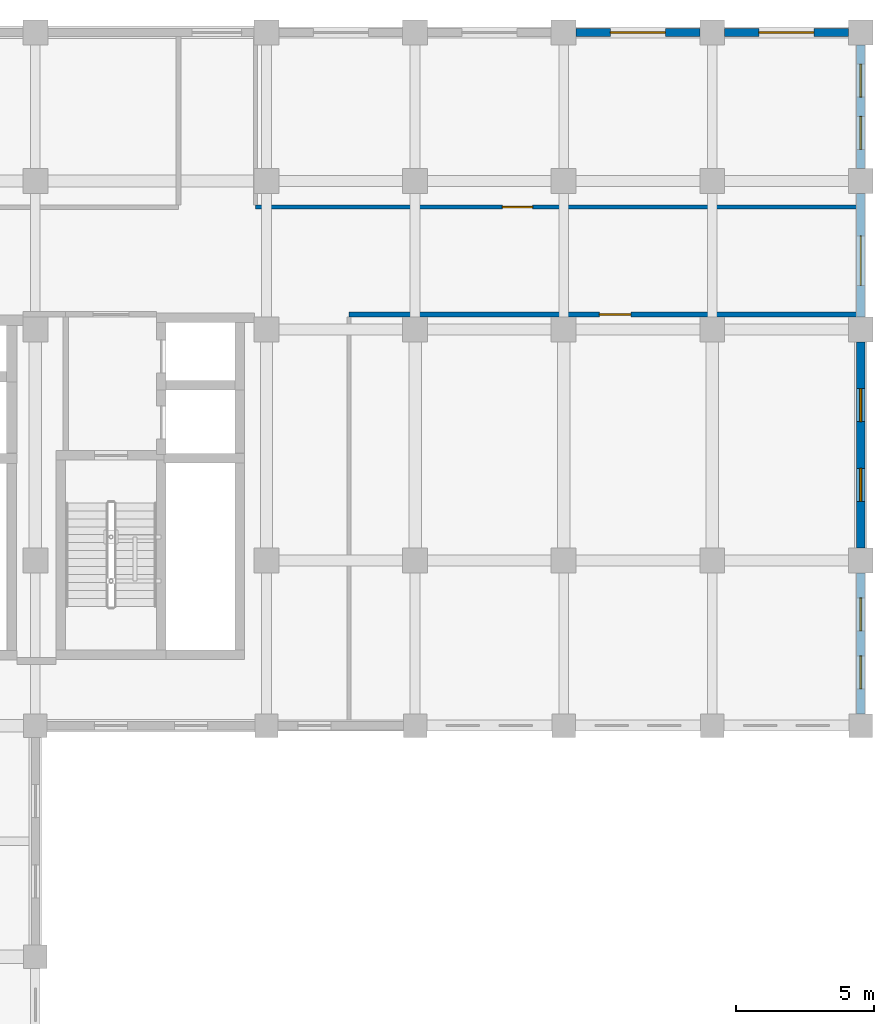
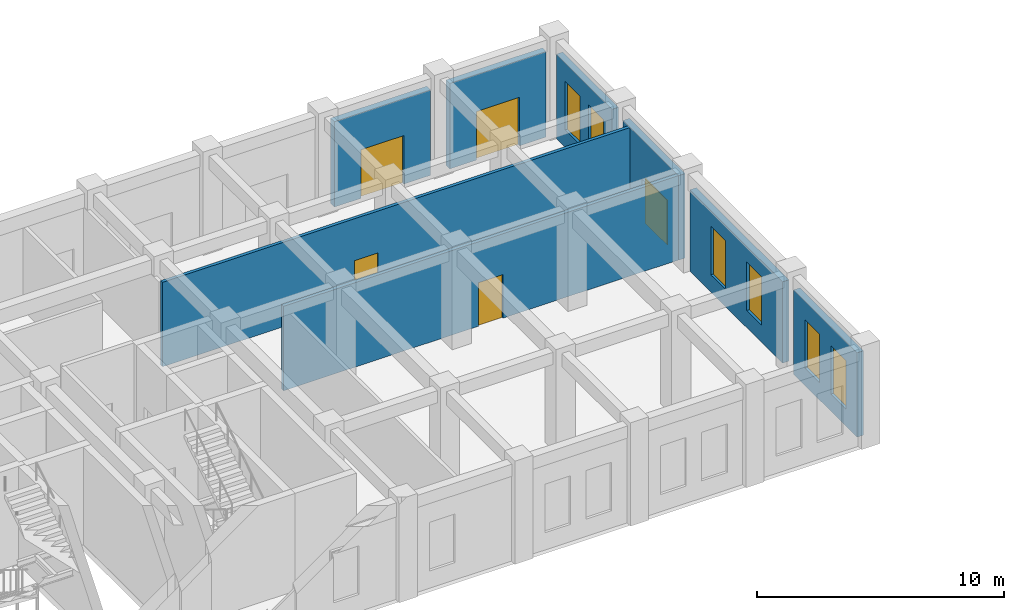
# One storey, part 70 of 80: 8 walls, 6 windows, 5 doors, 11 openings.
"""IFC4 building model written with IfcOpenShell, lengths in metres."""

from ifc_helpers import new_model, si_unit, direction, frame, frame_2d, origin, place, context, subcontext, project, spatial, rectangle, extrude, material, layer, layer_set, type_object, element, fill, save


model = new_model("IFC4")

# Units and contexts
model_context = context("Model", 3, precision=1e-05, world=origin(), true_north=direction((0.0, 1.0)))
body_context = subcontext(model_context, "Body", "Model", "MODEL_VIEW")
ifc_project = project(units=[si_unit("LENGTHUNIT", "METRE"), si_unit("AREAUNIT", "SQUARE_METRE"), si_unit("VOLUMEUNIT", "CUBIC_METRE"), si_unit("PLANEANGLEUNIT", "RADIAN"), si_unit("MASSUNIT", "GRAM", prefix="KILO")], contexts=[model_context])

# Site, building, storey
site_placement = place(None, origin())
site = spatial("IfcSite", under=ifc_project, at=site_placement, CompositionType="ELEMENT")
building_placement = place(site_placement, origin())
building = spatial("IfcBuilding", under=site, at=building_placement, Name="Krzemoval Escarpment Law Courts", CompositionType="ELEMENT")
storey_placement = place(building_placement, origin())
storey = spatial("IfcBuildingStorey", under=building, at=storey_placement, Name="L00", CompositionType="ELEMENT", Elevation=0.0)

# Wall, opening, door
ifc_material_1 = material(Name="Precast concrete C40/50", Category="concrete")
ifc_layer_1 = layer(ifc_material_1, 0.300048828125)
ifc_layer_set_1 = layer_set([ifc_layer_1], Name="Precast concrete C40/50")
wall_type_1 = type_object("IfcWallType", Name="WL-EXT-300", PredefinedType="SOLIDWALL", material=ifc_layer_set_1)
wall_1_placement = place(storey_placement, frame((162.449951171875, 118.800048828125, 0.0), z_axis=(0.0, 0.0, 1.0), x_axis=(1.0, 0.0, 0.0)))
wall_1 = element("IfcWall", 1, at=wall_1_placement, inside=storey, type_object=wall_type_1, Name="Exterior Wall EW-L00-0095", PredefinedType="SOLIDWALL", context=body_context, shape_type="SweptSolid", body=[
    extrude(rectangle(XDim=4.5, YDim=0.300048828125, at=frame_2d((2.25, 0.0))), origin(), (0.0, 0.0, 1.0), 4.219970703125),
])
opening_1_placement = place(wall_1_placement, frame((1.25, 0.0, 0.0)))
opening_1 = element("IfcOpeningElement", 2, at=opening_1_placement, cuts=wall_1, Name="Opening ED-L00-11", PredefinedType="OPENING", context=body_context, shape_type="SweptSolid", body=[
    extrude(rectangle(XDim=2.0, YDim=2.39990234375, at=frame_2d((1.0, 1.199951171875))), frame((0.0, 0.16502, 0.0), z_axis=(0.0, -1.0, 0.0), x_axis=(1.0, 0.0, 0.0)), (0.0, 0.0, 1.0), 0.33005),
])
ifc_material_2 = material(Name="Thermally Broken Aluminium and Laminated Safety Glass", Category="aluminium")
door_type_1 = type_object("IfcDoorType", Name="DR-ENT-2000x2400", OperationType="SINGLE_SWING_LEFT", PredefinedType="DOOR", material=ifc_material_2)
door_1_placement = place(opening_1_placement, origin())
door_1 = element("IfcDoor", 3, at=door_1_placement, inside=storey, type_object=door_type_1, Name="Ground Entrance Door ED-L00-11", OperationType="DOUBLE_DOOR_SINGLE_SWING", OverallHeight=2.39990234375, OverallWidth=2.0, PredefinedType="DOOR", context=body_context, shape_type="SweptSolid", body=[
    extrude(rectangle(XDim=2.0, YDim=2.39990234375, at=frame_2d((1.0, 1.199951171875))), frame((0.0, 0.02490234375, 0.0), z_axis=(0.0, -1.0, 0.0), x_axis=(1.0, 0.0, 0.0)), (0.0, 0.0, 1.0), 0.050048828125),
])
fill(opening_1, door_1)

wall_2_placement = place(storey_placement, frame((167.85009765625, 118.800048828125, 0.0), z_axis=(0.0, 0.0, 1.0), x_axis=(1.0, 0.0, 0.0)))
wall_2 = element("IfcWall", 4, at=wall_2_placement, inside=storey, type_object=wall_type_1, Name="Exterior Wall EW-L00-0096", PredefinedType="SOLIDWALL", context=body_context, shape_type="SweptSolid", body=[
    extrude(rectangle(XDim=4.5, YDim=0.300048828125, at=frame_2d((2.25, 0.0))), origin(), (0.0, 0.0, 1.0), 4.219970703125),
])
opening_2_placement = place(wall_2_placement, frame((1.25, 0.0, 0.0)))
opening_2 = element("IfcOpeningElement", 5, at=opening_2_placement, cuts=wall_2, Name="Opening ED-L00-12", PredefinedType="OPENING", context=body_context, shape_type="SweptSolid", body=[
    extrude(rectangle(XDim=2.0, YDim=2.39990234375, at=frame_2d((1.0, 1.199951171875))), frame((0.0, 0.16502, 0.0), z_axis=(0.0, -1.0, 0.0), x_axis=(1.0, 0.0, 0.0)), (0.0, 0.0, 1.0), 0.33005),
])
door_2_placement = place(opening_2_placement, origin())
door_2 = element("IfcDoor", 6, at=door_2_placement, inside=storey, type_object=door_type_1, Name="Ground Entrance Door ED-L00-12", OperationType="DOUBLE_DOOR_SINGLE_SWING", OverallHeight=2.39990234375, OverallWidth=2.0, PredefinedType="DOOR", context=body_context, shape_type="SweptSolid", body=[
    extrude(rectangle(XDim=2.0, YDim=2.39990234375, at=frame_2d((1.0, 1.199951171875))), frame((0.0, 0.02490234375, 0.0), z_axis=(0.0, -1.0, 0.0), x_axis=(1.0, 0.0, 0.0)), (0.0, 0.0, 1.0), 0.050048828125),
])
fill(opening_2, door_2)

# Wall, openings, windows
wall_3_placement = place(storey_placement, frame((172.800048828125, 118.35009765625, 0.0), z_axis=(0.0, 0.0, 1.0), x_axis=(0.0, -1.0, 0.0)))
wall_3 = element("IfcWall", 7, at=wall_3_placement, inside=storey, type_object=wall_type_1, Name="Exterior Wall EW-L00-0097", PredefinedType="SOLIDWALL", context=body_context, shape_type="SweptSolid", body=[
    extrude(rectangle(XDim=4.5, YDim=0.300048828125, at=frame_2d((2.25, 0.0))), origin(), (0.0, 0.0, 1.0), 4.169921875),
])
opening_3_placement = place(wall_3_placement, frame((0.699951171875, 0.0, 0.85009765625)))
opening_3 = element("IfcOpeningElement", 8, at=opening_3_placement, cuts=wall_3, Name="Opening WN-L00-0035", PredefinedType="OPENING", context=body_context, shape_type="SweptSolid", body=[
    extrude(rectangle(XDim=1.199951171875, YDim=2.39990234375, at=frame_2d((0.60009765625, 1.199951171875))), frame((0.0, 0.16502, 0.0), z_axis=(0.0, -1.0, 0.0), x_axis=(1.0, 0.0, 0.0)), (0.0, 0.0, 1.0), 0.33005),
])
opening_4_placement = place(wall_3_placement, frame((2.60009765625, 0.0, 0.85009765625)))
opening_4 = element("IfcOpeningElement", 9, at=opening_4_placement, cuts=wall_3, Name="Opening WN-L00-0036", PredefinedType="OPENING", context=body_context, shape_type="SweptSolid", body=[
    extrude(rectangle(XDim=1.199951171875, YDim=2.39990234375, at=frame_2d((0.60009765625, 1.199951171875))), frame((0.0, 0.16502, 0.0), z_axis=(0.0, -1.0, 0.0), x_axis=(1.0, 0.0, 0.0)), (0.0, 0.0, 1.0), 0.33005),
])
ifc_material_3 = material(Name="Thermally Broken Aluminium Frame with Triple Low-E Acoustic Glass", Category="aluminium")
window_type = type_object("IfcWindowType", Name="WN-1200x2400", PartitioningType="SINGLE_PANEL", PredefinedType="WINDOW", material=ifc_material_3)
window_1_placement = place(opening_3_placement, origin())
window_1 = element("IfcWindow", 10, at=window_1_placement, inside=storey, type_object=window_type, Name="Facade Window WN-L00-0035", OverallHeight=2.39990234375, OverallWidth=1.199951171875, PartitioningType="SINGLE_PANEL", PredefinedType="WINDOW", context=body_context, shape_type="SweptSolid", body=[
    extrude(rectangle(XDim=1.199951171875, YDim=2.39990234375, at=frame_2d((0.60009765625, 1.199951171875))), frame((0.0, 0.030029296875, 0.0), z_axis=(0.0, -1.0, 0.0), x_axis=(1.0, 0.0, 0.0)), (0.0, 0.0, 1.0), 0.06005859375),
])
fill(opening_3, window_1)
window_2_placement = place(opening_4_placement, origin())
window_2 = element("IfcWindow", 11, at=window_2_placement, inside=storey, type_object=window_type, Name="Facade Window WN-L00-0036", OverallHeight=2.39990234375, OverallWidth=1.199951171875, PartitioningType="SINGLE_PANEL", PredefinedType="WINDOW", context=body_context, shape_type="SweptSolid", body=[
    extrude(rectangle(XDim=1.199951171875, YDim=2.39990234375, at=frame_2d((0.60009765625, 1.199951171875))), frame((0.0, 0.030029296875, 0.0), z_axis=(0.0, -1.0, 0.0), x_axis=(1.0, 0.0, 0.0)), (0.0, 0.0, 1.0), 0.06005859375),
])
fill(opening_4, window_2)

# Wall, opening, door
wall_4_placement = place(storey_placement, frame((172.800048828125, 112.949951171875, 0.0), z_axis=(0.0, 0.0, 1.0), x_axis=(0.0, -1.0, 0.0)))
wall_4 = element("IfcWall", 12, at=wall_4_placement, inside=storey, type_object=wall_type_1, Name="Exterior Wall EW-L00-0098", PredefinedType="SOLIDWALL", context=body_context, shape_type="SweptSolid", body=[
    extrude(rectangle(XDim=4.5, YDim=0.300048828125, at=frame_2d((2.25, 0.0))), origin(), (0.0, 0.0, 1.0), 4.169921875),
])
opening_5_placement = place(wall_4_placement, frame((1.550048828125, 0.0, 0.0)))
opening_5 = element("IfcOpeningElement", 13, at=opening_5_placement, cuts=wall_4, Name="Opening E02A", PredefinedType="OPENING", context=body_context, shape_type="SweptSolid", body=[
    extrude(rectangle(XDim=1.800048828125, YDim=2.199951171875, at=frame_2d((0.89990234375, 1.10009765625))), frame((0.0, 0.16502, 0.0), z_axis=(0.0, -1.0, 0.0), x_axis=(1.0, 0.0, 0.0)), (0.0, 0.0, 1.0), 0.33005),
])
ifc_material_4 = material(Name="Galvanised Steel S355", Category="steel")
door_type_2 = type_object("IfcDoorType", Name="DR-EXIT-1800x2200", OperationType="SINGLE_SWING_LEFT", PredefinedType="DOOR", material=ifc_material_4)
door_3_placement = place(opening_5_placement, origin())
door_3 = element("IfcDoor", 14, at=door_3_placement, inside=storey, type_object=door_type_2, Name="Final Exit Discharge Door E02A (Stairs ST2/ST3 East Escarpment)", OperationType="DOUBLE_DOOR_SINGLE_SWING", OverallHeight=2.199951171875, OverallWidth=1.800048828125, PredefinedType="DOOR", context=body_context, shape_type="SweptSolid", body=[
    extrude(rectangle(XDim=1.800048828125, YDim=2.199951171875, at=frame_2d((0.89990234375, 1.10009765625))), frame((0.0, 0.02490234375, 0.0), z_axis=(0.0, -1.0, 0.0), x_axis=(1.0, 0.0, 0.0)), (0.0, 0.0, 1.0), 0.050048828125),
])
fill(opening_5, door_3)

# Wall, openings, windows
wall_5_placement = place(storey_placement, frame((172.800048828125, 107.550048828125, 0.0), z_axis=(0.0, 0.0, 1.0), x_axis=(0.0, -1.0, 0.0)))
wall_5 = element("IfcWall", 15, at=wall_5_placement, inside=storey, type_object=wall_type_1, Name="Exterior Wall EW-L00-0099", PredefinedType="SOLIDWALL", context=body_context, shape_type="SweptSolid", body=[
    extrude(rectangle(XDim=7.5, YDim=0.300048828125, at=frame_2d((3.75, 0.0))), origin(), (0.0, 0.0, 1.0), 4.02001953125),
])
opening_6_placement = place(wall_5_placement, frame((1.699951171875, 0.0, 0.85009765625)))
opening_6 = element("IfcOpeningElement", 16, at=opening_6_placement, cuts=wall_5, Name="Opening WN-L00-0037", PredefinedType="OPENING", context=body_context, shape_type="SweptSolid", body=[
    extrude(rectangle(XDim=1.199951171875, YDim=2.39990234375, at=frame_2d((0.60009765625, 1.199951171875))), frame((0.0, 0.16502, 0.0), z_axis=(0.0, -1.0, 0.0), x_axis=(1.0, 0.0, 0.0)), (0.0, 0.0, 1.0), 0.33005),
])
opening_7_placement = place(wall_5_placement, frame((4.60009765625, 0.0, 0.85009765625)))
opening_7 = element("IfcOpeningElement", 17, at=opening_7_placement, cuts=wall_5, Name="Opening WN-L00-0038", PredefinedType="OPENING", context=body_context, shape_type="SweptSolid", body=[
    extrude(rectangle(XDim=1.199951171875, YDim=2.39990234375, at=frame_2d((0.60009765625, 1.199951171875))), frame((0.0, 0.16502, 0.0), z_axis=(0.0, -1.0, 0.0), x_axis=(1.0, 0.0, 0.0)), (0.0, 0.0, 1.0), 0.33005),
])
window_3_placement = place(opening_6_placement, origin())
window_3 = element("IfcWindow", 18, at=window_3_placement, inside=storey, type_object=window_type, Name="Facade Window WN-L00-0037", OverallHeight=2.39990234375, OverallWidth=1.199951171875, PartitioningType="SINGLE_PANEL", PredefinedType="WINDOW", context=body_context, shape_type="SweptSolid", body=[
    extrude(rectangle(XDim=1.199951171875, YDim=2.39990234375, at=frame_2d((0.60009765625, 1.199951171875))), frame((0.0, 0.030029296875, 0.0), z_axis=(0.0, -1.0, 0.0), x_axis=(1.0, 0.0, 0.0)), (0.0, 0.0, 1.0), 0.06005859375),
])
fill(opening_6, window_3)
window_4_placement = place(opening_7_placement, origin())
window_4 = element("IfcWindow", 19, at=window_4_placement, inside=storey, type_object=window_type, Name="Facade Window WN-L00-0038", OverallHeight=2.39990234375, OverallWidth=1.199951171875, PartitioningType="SINGLE_PANEL", PredefinedType="WINDOW", context=body_context, shape_type="SweptSolid", body=[
    extrude(rectangle(XDim=1.199951171875, YDim=2.39990234375, at=frame_2d((0.60009765625, 1.199951171875))), frame((0.0, 0.030029296875, 0.0), z_axis=(0.0, -1.0, 0.0), x_axis=(1.0, 0.0, 0.0)), (0.0, 0.0, 1.0), 0.06005859375),
])
fill(opening_7, window_4)

wall_6_placement = place(storey_placement, frame((172.800048828125, 99.14990234375, 0.0), z_axis=(0.0, 0.0, 1.0), x_axis=(0.0, -1.0, 0.0)))
wall_6 = element("IfcWall", 20, at=wall_6_placement, inside=storey, type_object=wall_type_1, Name="Exterior Wall EW-L00-0100", PredefinedType="SOLIDWALL", context=body_context, shape_type="SweptSolid", body=[
    extrude(rectangle(XDim=5.125, YDim=0.300048828125, at=frame_2d((2.5625, 0.0))), origin(), (0.0, 0.0, 1.0), 4.169921875),
])
opening_8_placement = place(wall_6_placement, frame((0.907958984375, 0.0, 0.85009765625)))
opening_8 = element("IfcOpeningElement", 21, at=opening_8_placement, cuts=wall_6, Name="Opening WN-L00-0039", PredefinedType="OPENING", context=body_context, shape_type="SweptSolid", body=[
    extrude(rectangle(XDim=1.199951171875, YDim=2.39990234375, at=frame_2d((0.60009765625, 1.199951171875))), frame((0.0, 0.16502, 0.0), z_axis=(0.0, -1.0, 0.0), x_axis=(1.0, 0.0, 0.0)), (0.0, 0.0, 1.0), 0.33005),
])
opening_9_placement = place(wall_6_placement, frame((3.01708984375, 0.0, 0.85009765625)))
opening_9 = element("IfcOpeningElement", 22, at=opening_9_placement, cuts=wall_6, Name="Opening WN-L00-0040", PredefinedType="OPENING", context=body_context, shape_type="SweptSolid", body=[
    extrude(rectangle(XDim=1.199951171875, YDim=2.39990234375, at=frame_2d((0.60009765625, 1.199951171875))), frame((0.0, 0.16502, 0.0), z_axis=(0.0, -1.0, 0.0), x_axis=(1.0, 0.0, 0.0)), (0.0, 0.0, 1.0), 0.33005),
])
window_5_placement = place(opening_8_placement, origin())
window_5 = element("IfcWindow", 23, at=window_5_placement, inside=storey, type_object=window_type, Name="Facade Window WN-L00-0039", OverallHeight=2.39990234375, OverallWidth=1.199951171875, PartitioningType="SINGLE_PANEL", PredefinedType="WINDOW", context=body_context, shape_type="SweptSolid", body=[
    extrude(rectangle(XDim=1.199951171875, YDim=2.39990234375, at=frame_2d((0.60009765625, 1.199951171875))), frame((0.0, 0.030029296875, 0.0), z_axis=(0.0, -1.0, 0.0), x_axis=(1.0, 0.0, 0.0)), (0.0, 0.0, 1.0), 0.06005859375),
])
fill(opening_8, window_5)
window_6_placement = place(opening_9_placement, origin())
window_6 = element("IfcWindow", 24, at=window_6_placement, inside=storey, type_object=window_type, Name="Facade Window WN-L00-0040", OverallHeight=2.39990234375, OverallWidth=1.199951171875, PartitioningType="SINGLE_PANEL", PredefinedType="WINDOW", context=body_context, shape_type="SweptSolid", body=[
    extrude(rectangle(XDim=1.199951171875, YDim=2.39990234375, at=frame_2d((0.60009765625, 1.199951171875))), frame((0.0, 0.030029296875, 0.0), z_axis=(0.0, -1.0, 0.0), x_axis=(1.0, 0.0, 0.0)), (0.0, 0.0, 1.0), 0.06005859375),
])
fill(opening_9, window_6)

# Wall, opening, door
ifc_material_5 = material(Name="Office Acoustic Partition Wall", Category="gypsum")
ifc_layer_2 = layer(ifc_material_5, 0.14990234375)
ifc_layer_set_2 = layer_set([ifc_layer_2], Name="Office Acoustic Partition Wall")
wall_type_2 = type_object("IfcWallType", Name="WL-PRT-150", PredefinedType="PARTITIONING", material=ifc_layer_set_2)
wall_7_placement = place(storey_placement, frame((150.800048828125, 112.449951171875, 0.0), z_axis=(0.0, 0.0, 1.0), x_axis=(1.0, 0.0, 0.0)))
wall_7 = element("IfcWall", 25, at=wall_7_placement, inside=storey, type_object=wall_type_2, Name="Interior Partition PW-L00-0153", PredefinedType="PARTITIONING", context=body_context, shape_type="SweptSolid", body=[
    extrude(rectangle(XDim=21.847900390625, YDim=0.14990234375, at=frame_2d((10.923828125, 0.0))), origin(), (0.0, 0.0, 1.0), 4.169921875),
])
opening_10_placement = place(wall_7_placement, frame((8.97412109375, 0.0, 0.0)))
opening_10 = element("IfcOpeningElement", 26, at=opening_10_placement, cuts=wall_7, Name="Opening D-L00-0078", PredefinedType="OPENING", context=body_context, shape_type="SweptSolid", body=[
    extrude(rectangle(XDim=1.10009765625, YDim=2.10009765625, at=frame_2d((0.550048828125, 1.050048828125))), frame((0.0, 0.08995, 0.0), z_axis=(0.0, -1.0, 0.0), x_axis=(1.0, 0.0, 0.0)), (0.0, 0.0, 1.0), 0.1799),
])
ifc_material_6 = material(Name="Engineered Solid-Core Oak Acoustic Timber", Category="wood")
door_type_3 = type_object("IfcDoorType", Name="DR-INT-1100x2100", OperationType="SINGLE_SWING_LEFT", PredefinedType="DOOR", material=ifc_material_6)
door_4_placement = place(opening_10_placement, origin())
door_4 = element("IfcDoor", 27, at=door_4_placement, inside=storey, type_object=door_type_3, Name="Room Door D-L00-0078", OperationType="SINGLE_SWING_RIGHT", OverallHeight=2.10009765625, OverallWidth=1.10009765625, PredefinedType="DOOR", context=body_context, shape_type="SweptSolid", body=[
    extrude(rectangle(XDim=1.10009765625, YDim=2.10009765625, at=frame_2d((0.550048828125, 1.050048828125))), frame((0.0, 0.02490234375, 0.0), z_axis=(0.0, -1.0, 0.0), x_axis=(1.0, 0.0, 0.0)), (0.0, 0.0, 1.0), 0.050048828125),
])
fill(opening_10, door_4)

ifc_material_7 = material(Name="Judicial Chambers Acoustic Partition", Category="gypsum")
ifc_layer_3 = layer(ifc_material_7, 0.179931640625)
ifc_layer_set_3 = layer_set([ifc_layer_3], Name="Judicial Chambers Acoustic Partition")
wall_type_3 = type_object("IfcWallType", Name="WL-PRT-180", PredefinedType="PARTITIONING", material=ifc_layer_set_3)
wall_8_placement = place(storey_placement, frame((154.199951171875, 108.550048828125, 0.0), z_axis=(0.0, 0.0, 1.0), x_axis=(1.0, 0.0, 0.0)))
wall_8 = element("IfcWall", 28, at=wall_8_placement, inside=storey, type_object=wall_type_3, Name="Interior Partition PW-L00-0151", PredefinedType="PARTITIONING", context=body_context, shape_type="SweptSolid", body=[
    extrude(rectangle(XDim=18.447998046875, YDim=0.179931640625, at=frame_2d((9.22412109375, 0.0))), origin(), (0.0, 0.0, 1.0), 4.169921875),
])
opening_11_placement = place(wall_8_placement, frame((9.09912109375, 0.0, 0.0)))
opening_11 = element("IfcOpeningElement", 29, at=opening_11_placement, cuts=wall_8, Name="Opening D-L00-0079", PredefinedType="OPENING", context=body_context, shape_type="SweptSolid", body=[
    extrude(rectangle(XDim=1.14990234375, YDim=2.14990234375, at=frame_2d((0.574951171875, 1.074951171875))), frame((0.0, 0.10497, 0.0), z_axis=(0.0, -1.0, 0.0), x_axis=(1.0, 0.0, 0.0)), (0.0, 0.0, 1.0), 0.20993),
])
ifc_material_8 = material(Name="Engineered Solid-Core Oak Acoustic Timber", Category="wood")
door_type_4 = type_object("IfcDoorType", Name="DR-INT-1150x2150", OperationType="SINGLE_SWING_LEFT", PredefinedType="DOOR", material=ifc_material_8)
door_5_placement = place(opening_11_placement, origin())
door_5 = element("IfcDoor", 30, at=door_5_placement, inside=storey, type_object=door_type_4, Name="Room Door D-L00-0079", OperationType="SINGLE_SWING_LEFT", OverallHeight=2.14990234375, OverallWidth=1.14990234375, PredefinedType="DOOR", context=body_context, shape_type="SweptSolid", body=[
    extrude(rectangle(XDim=1.14990234375, YDim=2.14990234375, at=frame_2d((0.574951171875, 1.074951171875))), frame((0.0, 0.02490234375, 0.0), z_axis=(0.0, -1.0, 0.0), x_axis=(1.0, 0.0, 0.0)), (0.0, 0.0, 1.0), 0.050048828125),
])
fill(opening_11, door_5)

save(model, "model.ifc")
